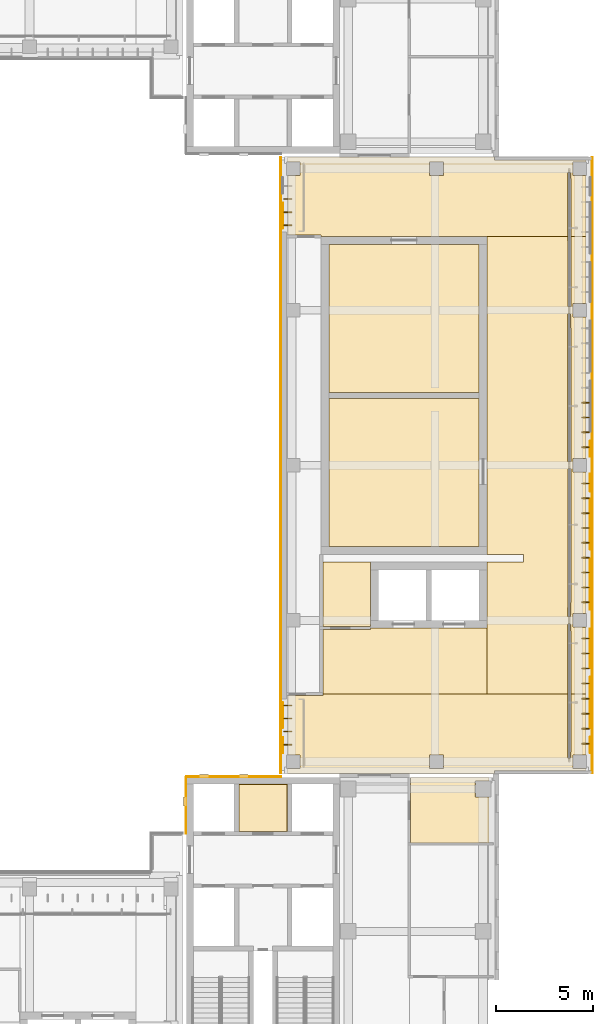
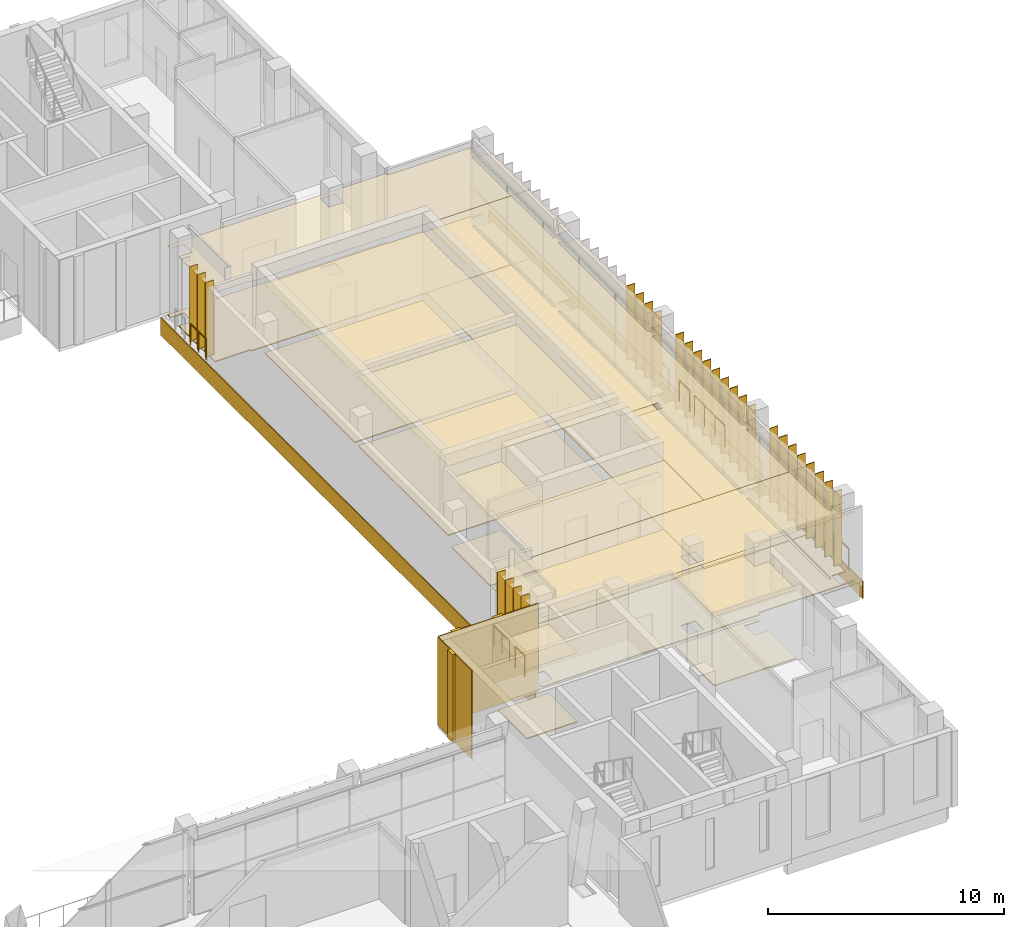
# One storey, part 70 of 73: 28 shading devices, 25 coverings, 10 railings.
"""IFC4 building model written with IfcOpenShell, lengths in metres."""

from ifc_helpers import new_model, si_unit, direction, frame, frame_2d, origin, origin_2d, place, context, subcontext, project, spatial, polyline, rectangle, circle, outline, extrude, material, layer, layer_set, type_object, element, save


model = new_model("IFC4")

# Units and contexts
model_context = context("Model", 3, precision=1e-05, world=origin(), true_north=direction((0.0, 1.0)))
body_context = subcontext(model_context, "Body", "Model", "MODEL_VIEW")
ifc_project = project(units=[si_unit("LENGTHUNIT", "METRE"), si_unit("AREAUNIT", "SQUARE_METRE"), si_unit("VOLUMEUNIT", "CUBIC_METRE"), si_unit("PLANEANGLEUNIT", "RADIAN"), si_unit("MASSUNIT", "GRAM", prefix="KILO")], contexts=[model_context])

# Site, building, storey
site_placement = place(None, origin())
site = spatial("IfcSite", under=ifc_project, at=site_placement, CompositionType="ELEMENT")
building_placement = place(site_placement, origin())
building = spatial("IfcBuilding", under=site, at=building_placement, Name="Lantern Court Media Centre", CompositionType="ELEMENT")
storey_placement = place(building_placement, frame((0.0, 0.0, 24.0)))
storey = spatial("IfcBuildingStorey", under=building, at=storey_placement, Name="L05", CompositionType="ELEMENT", Elevation=24.0)

# Coverings
ifc_material_1 = material(Name="Carpet")
ifc_layer_1 = layer(ifc_material_1, 0.050048828125)
ifc_layer_set_1 = layer_set([ifc_layer_1], Name="Carpet")
covering_type_1 = type_object("IfcCoveringType", Name="Carpet floor finish", PredefinedType="FLOORING", material=ifc_layer_set_1)
covering_1_placement = place(storey_placement, origin())
element("IfcCovering", 1, at=covering_1_placement, inside=storey, type_object=covering_type_1, Name="Master Control Room floor finish", PredefinedType="FLOORING", context=body_context, shape_type="SweptSolid", body=[
    extrude(outline(polyline([(95.195068359375, 83.445068359375), (95.195068359375, 75.804931640625), (87.455078125, 75.804931640625), (87.455078125, 83.445068359375), (95.195068359375, 83.445068359375)])), origin(), (0.0, 0.0, 1.0), 0.050048828125),
])
covering_2_placement = place(storey_placement, origin())
element("IfcCovering", 2, at=covering_2_placement, inside=storey, type_object=covering_type_1, Name="Technical Operations Room floor finish", PredefinedType="FLOORING", context=body_context, shape_type="SweptSolid", body=[
    extrude(outline(polyline([(95.195068359375, 83.7548828125), (87.455078125, 83.7548828125), (87.455078125, 91.39501953125), (95.195068359375, 91.39501953125), (95.195068359375, 83.7548828125)])), origin(), (0.0, 0.0, 1.0), 0.050048828125),
])
covering_3_placement = place(storey_placement, origin())
element("IfcCovering", 3, at=covering_3_placement, inside=storey, type_object=covering_type_1, Name="Library Administration Office floor finish", PredefinedType="FLOORING", context=body_context, shape_type="SweptSolid", body=[
    extrude(outline(polyline([(95.699951171875, 60.52587890625), (91.66748046875, 60.52587890625), (91.66748046875, 63.89990234375), (95.699951171875, 63.89990234375), (95.699951171875, 63.705078125), (94.9951171875, 63.699951171875), (94.99609375, 62.896728515625), (95.699951171875, 62.89501953125), (95.699951171875, 60.52587890625)])), origin(), (0.0, 0.0, 1.0), 0.050048828125),
])
ifc_material_2 = material(Name="Ceramic tile")
ifc_layer_2 = layer(ifc_material_2, 0.050048828125)
ifc_layer_set_2 = layer_set([ifc_layer_2], Name="Ceramic tile")
covering_type_2 = type_object("IfcCoveringType", Name="Ceramic tile floor finish", PredefinedType="FLOORING", material=ifc_layer_set_2)
covering_4_placement = place(storey_placement, origin())
element("IfcCovering", 4, at=covering_4_placement, inside=storey, type_object=covering_type_2, Name="Accessible WC floor finish", PredefinedType="FLOORING", context=body_context, shape_type="SweptSolid", body=[
    extrude(outline(polyline([(89.594970703125, 75.0), (89.594970703125, 71.679931640625), (87.135009765625, 71.679931640625), (87.135009765625, 75.0), (89.594970703125, 75.0)])), origin(), (0.0, 0.0, 1.0), 0.050048828125),
])
covering_5_placement = place(storey_placement, origin())
element("IfcCovering", 5, at=covering_5_placement, inside=storey, type_object=covering_type_2, Name="Accessible WC floor finish", PredefinedType="FLOORING", context=body_context, shape_type="SweptSolid", body=[
    extrude(outline(polyline([(85.294921875, 61.10498046875), (82.804931640625, 61.10498046875), (82.804931640625, 63.544921875), (85.294921875, 63.544921875), (85.294921875, 61.10498046875)])), origin(), (0.0, 0.0, 1.0), 0.050048828125),
])

# Railings
ifc_material_3 = material(Name="Powder-coated steel", Category="steel")
railing_type = type_object("IfcRailingType", Name="Floor edge guard 1100", PredefinedType="GUARDRAIL", material=ifc_material_3)
railing_1_placement = place(storey_placement, frame((85.06005859375, 65.158935546875, 0.0)))
element("IfcRailing", 6, at=railing_1_placement, inside=storey, type_object=railing_type, Name="L05 edge guard 191", PredefinedType="GUARDRAIL", context=body_context, shape_type="SweptSolid", body=[
    extrude(circle(Radius=0.02392578125, at=origin_2d()), frame((0.0, 0.0, 1.076171875), z_axis=(0.0, 1.0, 0.0), x_axis=(-1.0, 0.0, 0.0)), (0.0, 0.0, 1.0), 0.799072265625),
    extrude(circle(Radius=0.02099609375, at=origin_2d()), origin(), (0.0, 0.0, 1.0), 1.052001953125),
    extrude(circle(Radius=0.02099609375, at=origin_2d()), frame((0.0, 0.799072265625, 0.0)), (0.0, 0.0, 1.0), 1.052001953125),
])
railing_2_placement = place(storey_placement, frame((85.06005859375, 66.4580078125, 0.0)))
element("IfcRailing", 7, at=railing_2_placement, inside=storey, type_object=railing_type, Name="L05 edge guard 192", PredefinedType="GUARDRAIL", context=body_context, shape_type="SweptSolid", body=[
    extrude(circle(Radius=0.02392578125, at=origin_2d()), frame((0.0, 0.0, 1.076171875), z_axis=(0.0, 1.0, 0.0), x_axis=(-1.0, 0.0, 0.0)), (0.0, 0.0, 1.0), 1.299072265625),
    extrude(circle(Radius=0.02099609375, at=origin_2d()), origin(), (0.0, 0.0, 1.0), 1.052001953125),
    extrude(circle(Radius=0.02099609375, at=origin_2d()), frame((0.0, 0.6494140625, 0.0)), (0.0, 0.0, 1.0), 1.052001953125),
    extrude(circle(Radius=0.02099609375, at=origin_2d()), frame((0.0, 1.299072265625, 0.0)), (0.0, 0.0, 1.0), 1.052001953125),
])
railing_3_placement = place(storey_placement, frame((85.06005859375, 92.236083984375, 0.0)))
element("IfcRailing", 8, at=railing_3_placement, inside=storey, type_object=railing_type, Name="L05 edge guard 193", PredefinedType="GUARDRAIL", context=body_context, shape_type="SweptSolid", body=[
    extrude(circle(Radius=0.02392578125, at=origin_2d()), frame((0.0, 0.0, 1.076171875), z_axis=(0.0, 1.0, 0.0), x_axis=(-1.0, 0.0, 0.0)), (0.0, 0.0, 1.0), 1.298828125),
    extrude(circle(Radius=0.02099609375, at=origin_2d()), origin(), (0.0, 0.0, 1.0), 1.052001953125),
    extrude(circle(Radius=0.02099609375, at=origin_2d()), frame((0.0, 0.6494140625, 0.0)), (0.0, 0.0, 1.0), 1.052001953125),
    extrude(circle(Radius=0.02099609375, at=origin_2d()), frame((0.0, 1.298828125, 0.0)), (0.0, 0.0, 1.0), 1.052001953125),
])
railing_4_placement = place(storey_placement, frame((100.93994140625, 81.251953125, 0.0)))
element("IfcRailing", 9, at=railing_4_placement, inside=storey, type_object=railing_type, Name="L05 edge guard 200", PredefinedType="GUARDRAIL", context=body_context, shape_type="SweptSolid", body=[
    extrude(circle(Radius=0.02392578125, at=origin_2d()), frame((0.0, 0.0, 1.076171875), z_axis=(0.0, -1.0, 0.0), x_axis=(1.0, 0.0, 0.0)), (0.0, 0.0, 1.0), 0.799072265625),
    extrude(circle(Radius=0.02099609375, at=origin_2d()), origin(), (0.0, 0.0, 1.0), 1.052001953125),
    extrude(circle(Radius=0.02099609375, at=origin_2d()), frame((0.0, -0.799072265625, 0.0)), (0.0, 0.0, 1.0), 1.052001953125),
])
railing_5_placement = place(storey_placement, frame((100.93994140625, 79.553955078125, 0.0)))
element("IfcRailing", 10, at=railing_5_placement, inside=storey, type_object=railing_type, Name="L05 edge guard 201", PredefinedType="GUARDRAIL", context=body_context, shape_type="SweptSolid", body=[
    extrude(circle(Radius=0.02392578125, at=origin_2d()), frame((0.0, 0.0, 1.076171875), z_axis=(0.0, -1.0, 0.0), x_axis=(1.0, 0.0, 0.0)), (0.0, 0.0, 1.0), 0.89990234375),
    extrude(circle(Radius=0.02099609375, at=origin_2d()), origin(), (0.0, 0.0, 1.0), 1.052001953125),
    extrude(circle(Radius=0.02099609375, at=origin_2d()), frame((0.0, -0.89990234375, 0.0)), (0.0, 0.0, 1.0), 1.052001953125),
])
railing_6_placement = place(storey_placement, frame((100.93994140625, 78.2548828125, 0.0)))
element("IfcRailing", 11, at=railing_6_placement, inside=storey, type_object=railing_type, Name="L05 edge guard 202", PredefinedType="GUARDRAIL", context=body_context, shape_type="SweptSolid", body=[
    extrude(circle(Radius=0.02392578125, at=origin_2d()), frame((0.0, 0.0, 1.076171875), z_axis=(0.0, -1.0, 0.0), x_axis=(1.0, 0.0, 0.0)), (0.0, 0.0, 1.0), 2.597900390625),
    extrude(circle(Radius=0.02099609375, at=origin_2d()), origin(), (0.0, 0.0, 1.0), 1.052001953125),
    extrude(circle(Radius=0.02099609375, at=origin_2d()), frame((0.0, -0.865966796875, 0.0)), (0.0, 0.0, 1.0), 1.052001953125),
    extrude(circle(Radius=0.02099609375, at=origin_2d()), frame((0.0, -1.73193359375, 0.0)), (0.0, 0.0, 1.0), 1.052001953125),
    extrude(circle(Radius=0.02099609375, at=origin_2d()), frame((0.0, -2.597900390625, 0.0)), (0.0, 0.0, 1.0), 1.052001953125),
])
railing_7_placement = place(storey_placement, frame((100.93994140625, 75.156982421875, 0.0)))
element("IfcRailing", 12, at=railing_7_placement, inside=storey, type_object=railing_type, Name="L05 edge guard 203", PredefinedType="GUARDRAIL", context=body_context, shape_type="SweptSolid", body=[
    extrude(circle(Radius=0.02392578125, at=origin_2d()), frame((0.0, 0.0, 1.076171875), z_axis=(0.0, -1.0, 0.0), x_axis=(1.0, 0.0, 0.0)), (0.0, 0.0, 1.0), 2.596923828125),
    extrude(circle(Radius=0.02099609375, at=origin_2d()), origin(), (0.0, 0.0, 1.0), 1.052001953125),
    extrude(circle(Radius=0.02099609375, at=origin_2d()), frame((0.0, -0.86572265625, 0.0)), (0.0, 0.0, 1.0), 1.052001953125),
    extrude(circle(Radius=0.02099609375, at=origin_2d()), frame((0.0, -1.731201171875, 0.0)), (0.0, 0.0, 1.0), 1.052001953125),
    extrude(circle(Radius=0.02099609375, at=origin_2d()), frame((0.0, -2.596923828125, 0.0)), (0.0, 0.0, 1.0), 1.052001953125),
])
railing_8_placement = place(storey_placement, frame((100.93994140625, 71.56005859375, 0.0)))
element("IfcRailing", 13, at=railing_8_placement, inside=storey, type_object=railing_type, Name="L05 edge guard 204", PredefinedType="GUARDRAIL", context=body_context, shape_type="SweptSolid", body=[
    extrude(circle(Radius=0.02392578125, at=origin_2d()), frame((0.0, 0.0, 1.076171875), z_axis=(0.0, -1.0, 0.0), x_axis=(1.0, 0.0, 0.0)), (0.0, 0.0, 1.0), 1.998046875),
    extrude(circle(Radius=0.02099609375, at=origin_2d()), origin(), (0.0, 0.0, 1.0), 1.052001953125),
    extrude(circle(Radius=0.02099609375, at=origin_2d()), frame((0.0, -0.9990234375, 0.0)), (0.0, 0.0, 1.0), 1.052001953125),
    extrude(circle(Radius=0.02099609375, at=origin_2d()), frame((0.0, -1.998046875, 0.0)), (0.0, 0.0, 1.0), 1.052001953125),
])
railing_9_placement = place(storey_placement, frame((100.93994140625, 69.06298828125, 0.0)))
element("IfcRailing", 14, at=railing_9_placement, inside=storey, type_object=railing_type, Name="L05 edge guard 205", PredefinedType="GUARDRAIL", context=body_context, shape_type="SweptSolid", body=[
    extrude(circle(Radius=0.02392578125, at=origin_2d()), frame((0.0, 0.0, 1.076171875), z_axis=(0.0, -1.0, 0.0), x_axis=(1.0, 0.0, 0.0)), (0.0, 0.0, 1.0), 2.597900390625),
    extrude(circle(Radius=0.02099609375, at=origin_2d()), origin(), (0.0, 0.0, 1.0), 1.052001953125),
    extrude(circle(Radius=0.02099609375, at=origin_2d()), frame((0.0, -0.865966796875, 0.0)), (0.0, 0.0, 1.0), 1.052001953125),
    extrude(circle(Radius=0.02099609375, at=origin_2d()), frame((0.0, -1.73193359375, 0.0)), (0.0, 0.0, 1.0), 1.052001953125),
    extrude(circle(Radius=0.02099609375, at=origin_2d()), frame((0.0, -2.597900390625, 0.0)), (0.0, 0.0, 1.0), 1.052001953125),
])
railing_10_placement = place(storey_placement, frame((100.93994140625, 65.965087890625, 0.0)))
element("IfcRailing", 15, at=railing_10_placement, inside=storey, type_object=railing_type, Name="L05 edge guard 206", PredefinedType="GUARDRAIL", context=body_context, shape_type="SweptSolid", body=[
    extrude(circle(Radius=0.02392578125, at=origin_2d()), frame((0.0, 0.0, 1.076171875), z_axis=(0.0, -1.0, 0.0), x_axis=(1.0, 0.0, 0.0)), (0.0, 0.0, 1.0), 0.799072265625),
    extrude(circle(Radius=0.02099609375, at=origin_2d()), origin(), (0.0, 0.0, 1.0), 1.052001953125),
    extrude(circle(Radius=0.02099609375, at=origin_2d()), frame((0.0, -0.799072265625, 0.0)), (0.0, 0.0, 1.0), 1.052001953125),
])

# Coverings
ifc_material_4 = material(Name="White glass-fibre reinforced cement cladding", Category="concrete")
ifc_layer_3 = layer(ifc_material_4, 0.050048828125)
ifc_layer_set_3 = layer_set([ifc_layer_3], Name="White glass-fibre reinforced cement cladding")
covering_type_3 = type_object("IfcCoveringType", Name="Floor-edge band 50", PredefinedType="CLADDING", material=ifc_layer_set_3)
for number, where, z_axis, x_axis, name in (
    (16, (101.02490234375, 64.10009765625, -0.89990234375), (0.0, 0.0, 1.0), (0.0, 1.0, 0.0), "Floor-edge band E outer L05"),
    (17, (84.97509765625, 64.10009765625, -0.89990234375), (0.0, 0.0, 1.0), (0.0, 1.0, 0.0), "Floor-edge band E inner L05"),
):
    element("IfcCovering", number, at=place(storey_placement, frame(where, z_axis=z_axis, x_axis=x_axis)), inside=storey, type_object=covering_type_3, Name=name, PredefinedType="CLADDING", context=body_context, shape_type="SweptSolid", body=[
        extrude(rectangle(XDim=31.7998046875, YDim=0.050048828125, at=frame_2d((15.89990234375, 0.0))), origin(), (0.0, 0.0, 1.0), 0.89990234375),
    ])
ifc_material_5 = material(Name="Honed limestone cladding", Category="masonry")
ifc_layer_4 = layer(ifc_material_5, 0.050048828125)
ifc_layer_set_4 = layer_set([ifc_layer_4], Name="Honed limestone cladding")
covering_type_4 = type_object("IfcCoveringType", Name="Limestone cladding panel 50", PredefinedType="CLADDING", material=ifc_layer_set_4)
covering_6_placement = place(storey_placement, frame((80.074951171875, 61.0, 0.0), z_axis=(0.0, 0.0, 1.0), x_axis=(0.0, 1.0, 0.0)))
element("IfcCovering", 18, at=covering_6_placement, inside=storey, type_object=covering_type_4, Name="Limestone joint cladding S-SE L05", PredefinedType="CLADDING", context=body_context, shape_type="SweptSolid", body=[
    extrude(rectangle(XDim=2.89990234375, YDim=0.050048828125, at=frame_2d((1.449951171875, 0.0))), origin(), (0.0, 0.0, 1.0), 4.580078125),
])
covering_7_placement = place(storey_placement, frame((80.10009765625, 63.925048828125, 0.0), z_axis=(0.0, 0.0, 1.0), x_axis=(1.0, 0.0, 0.0)))
element("IfcCovering", 19, at=covering_7_placement, inside=storey, type_object=covering_type_4, Name="Limestone joint cladding E-SE L05", PredefinedType="CLADDING", context=body_context, shape_type="SweptSolid", body=[
    extrude(rectangle(XDim=4.89990234375, YDim=0.050048828125, at=frame_2d((2.449951171875, 0.0))), origin(), (0.0, 0.0, 1.0), 4.580078125),
])
ifc_layer_5 = layer(ifc_material_5, 0.14990234375)
ifc_layer_set_5 = layer_set([ifc_layer_5], Name="Honed limestone cladding")
covering_type_5 = type_object("IfcCoveringType", Name="Limestone pilaster cladding 150", PredefinedType="CLADDING", material=ifc_layer_set_5)
covering_8_placement = place(storey_placement, frame((80.77490234375, 63.97509765625, 0.0), z_axis=(0.0, 0.0, 1.0), x_axis=(1.0, 0.0, 0.0)))
element("IfcCovering", 20, at=covering_8_placement, inside=storey, type_object=covering_type_5, Name="Limestone pilaster rib", PredefinedType="CLADDING", context=body_context, shape_type="SweptSolid", body=[
    extrude(rectangle(XDim=0.4501953125, YDim=0.14990234375, at=frame_2d((0.22509765625, 0.0))), origin(), (0.0, 0.0, 1.0), 4.580078125),
])
for number, where, z_axis, x_axis, name in (
    (21, (82.824951171875, 63.97509765625, 0.0), (0.0, 0.0, 1.0), (1.0, 0.0, 0.0), "Limestone pilaster rib"),
    (22, (80.02490234375, 62.425048828125, 0.0), (0.0, 0.0, 1.0), (0.0, 1.0, 0.0), "Limestone pilaster rib"),
):
    element("IfcCovering", number, at=place(storey_placement, frame(where, z_axis=z_axis, x_axis=x_axis)), inside=storey, type_object=covering_type_5, Name=name, PredefinedType="CLADDING", context=body_context, shape_type="SweptSolid", body=[
        extrude(rectangle(XDim=0.449951171875, YDim=0.14990234375, at=frame_2d((0.22509765625, 0.0))), origin(), (0.0, 0.0, 1.0), 4.580078125),
    ])
ifc_material_6 = material(Name="Mineral fibre ceiling tile")
ifc_layer_6 = layer(ifc_material_6, 0.02001953125)
ifc_layer_set_6 = layer_set([ifc_layer_6], Name="Mineral fibre ceiling tile")
covering_type_6 = type_object("IfcCoveringType", Name="Suspended ceiling tile", PredefinedType="CEILING", material=ifc_layer_set_6)
covering_9_placement = place(storey_placement, frame((0.0, 0.0, 3.60009765625)))
element("IfcCovering", 23, at=covering_9_placement, inside=storey, type_object=covering_type_6, Name="End Lobby ceiling", PredefinedType="CEILING", context=body_context, shape_type="SweptSolid", body=[
    extrude(outline(polyline([(100.699951171875, 64.240478515625), (96.0, 64.240478515625), (95.99951171875, 64.10009765625), (85.300048828125, 64.10009765625), (85.300048828125, 64.349609375), (85.950439453125, 64.35009765625), (85.950439453125, 65.05029296875), (85.300048828125, 65.050537109375), (85.300048828125, 68.119384765625), (87.1298828125, 68.119384765625), (87.130615234375, 68.199951171875), (99.7744140625, 68.199951171875), (99.7744140625, 64.89990234375), (99.925048828125, 64.8994140625), (99.925537109375, 68.199951171875), (100.699951171875, 68.199951171875), (100.699951171875, 65.050537109375), (100.049560546875, 65.050048828125), (100.049560546875, 64.349609375), (100.699951171875, 64.349609375), (100.699951171875, 64.240478515625)]), holes=[polyline([(93.3505859375, 65.050048828125), (92.649658203125, 65.05029296875), (92.649658203125, 64.349609375), (93.350341796875, 64.349609375), (93.3505859375, 65.050048828125)])]), origin(), (0.0, 0.0, 1.0), 0.02001953125),
])
covering_10_placement = place(storey_placement, frame((0.0, 0.0, 3.60009765625)))
element("IfcCovering", 24, at=covering_10_placement, inside=storey, type_object=covering_type_6, Name="End Lobby ceiling", PredefinedType="CEILING", context=body_context, shape_type="SweptSolid", body=[
    extrude(outline(polyline([(100.699951171875, 91.800048828125), (99.925537109375, 91.800048828125), (99.925048828125, 95.1005859375), (99.7744140625, 95.10009765625), (99.7744140625, 91.800048828125), (87.04541015625, 91.800048828125), (87.044921875, 91.880615234375), (85.300048828125, 91.880615234375), (85.300048828125, 94.949462890625), (85.950439453125, 94.949951171875), (85.950439453125, 95.650390625), (85.300048828125, 95.650390625), (85.300048828125, 95.89990234375), (95.99951171875, 95.89990234375), (96.0, 95.759521484375), (100.699951171875, 95.759521484375), (100.699951171875, 95.650390625), (100.049560546875, 95.64990234375), (100.049560546875, 94.94970703125), (100.699951171875, 94.949462890625), (100.699951171875, 91.800048828125)]), holes=[polyline([(93.3505859375, 95.64990234375), (92.649658203125, 95.650390625), (92.649658203125, 94.94970703125), (93.350341796875, 94.94970703125), (93.3505859375, 95.64990234375)])]), origin(), (0.0, 0.0, 1.0), 0.02001953125),
])
covering_11_placement = place(storey_placement, frame((0.0, 0.0, 3.60009765625)))
element("IfcCovering", 25, at=covering_11_placement, inside=storey, type_object=covering_type_6, Name="Lift Lobby ceiling", PredefinedType="CEILING", context=body_context, shape_type="SweptSolid", body=[
    extrude(outline(polyline([(95.60009765625, 68.199951171875), (87.130615234375, 68.199951171875), (87.130615234375, 71.5244140625), (89.594970703125, 71.5244140625), (89.595458984375, 71.60009765625), (95.60009765625, 71.599609375), (95.60009765625, 68.199951171875)])), origin(), (0.0, 0.0, 1.0), 0.02001953125),
])
covering_12_placement = place(storey_placement, frame((0.0, 0.0, 3.60009765625)))
element("IfcCovering", 26, at=covering_12_placement, inside=storey, type_object=covering_type_6, Name="Accessible WC ceiling", PredefinedType="CEILING", context=body_context, shape_type="SweptSolid", body=[
    extrude(outline(polyline([(89.599609375, 75.0), (89.599609375, 71.60009765625), (89.594970703125, 71.675537109375), (87.130615234375, 71.675537109375), (87.130615234375, 75.0), (89.599609375, 75.0)])), origin(), (0.0, 0.0, 1.0), 0.02001953125),
])
covering_13_placement = place(storey_placement, frame((0.0, 0.0, 3.60009765625)))
element("IfcCovering", 27, at=covering_13_placement, inside=storey, type_object=covering_type_6, Name="Master Control Room ceiling", PredefinedType="CEILING", context=body_context, shape_type="SweptSolid", body=[
    extrude(outline(polyline([(95.199462890625, 83.60009765625), (95.199462890625, 75.800537109375), (87.450439453125, 75.800537109375), (87.450439453125, 83.60009765625), (87.455078125, 83.449462890625), (95.195068359375, 83.449462890625), (95.199462890625, 83.60009765625)])), origin(), (0.0, 0.0, 1.0), 0.02001953125),
])
covering_14_placement = place(storey_placement, frame((0.0, 0.0, 3.60009765625)))
element("IfcCovering", 28, at=covering_14_placement, inside=storey, type_object=covering_type_6, Name="Technical Operations Room ceiling", PredefinedType="CEILING", context=body_context, shape_type="SweptSolid", body=[
    extrude(outline(polyline([(87.450439453125, 83.60009765625), (87.450439453125, 91.3994140625), (95.199462890625, 91.3994140625), (95.199462890625, 83.60009765625), (95.195068359375, 83.75048828125), (87.455078125, 83.75048828125), (87.450439453125, 83.60009765625)])), origin(), (0.0, 0.0, 1.0), 0.02001953125),
])
covering_15_placement = place(storey_placement, frame((0.0, 0.0, 3.60009765625)))
element("IfcCovering", 29, at=covering_15_placement, inside=storey, type_object=covering_type_6, Name="Corridor ceiling", PredefinedType="CEILING", context=body_context, shape_type="SweptSolid", body=[
    extrude(outline(polyline([(100.699951171875, 91.800048828125), (100.699951171875, 88.3505859375), (100.049560546875, 88.35009765625), (100.049560546875, 87.649658203125), (100.699951171875, 87.6494140625), (100.699951171875, 80.3505859375), (100.049560546875, 80.35009765625), (100.049560546875, 79.649658203125), (100.699951171875, 79.6494140625), (100.699951171875, 72.3505859375), (100.049560546875, 72.35009765625), (100.049560546875, 71.649658203125), (100.699951171875, 71.6494140625), (100.699951171875, 68.199951171875), (99.925537109375, 68.199951171875), (99.925048828125, 71.800537109375), (99.7744140625, 71.800048828125), (99.7744140625, 68.199951171875), (95.60009765625, 68.199951171875), (95.6005859375, 75.0), (97.5, 75.0), (97.5, 75.39990234375), (95.6005859375, 75.39990234375), (95.6005859375, 91.800048828125), (99.7744140625, 91.800048828125), (99.77490234375, 88.199462890625), (99.925537109375, 88.199951171875), (99.925537109375, 91.800048828125), (100.699951171875, 91.800048828125)]), holes=[polyline([(99.7744140625, 80.199951171875), (99.925537109375, 80.199951171875), (99.925048828125, 87.800537109375), (99.7744140625, 87.800048828125), (99.7744140625, 80.199951171875)]), polyline([(99.925048828125, 72.199462890625), (99.925537109375, 79.800048828125), (99.77490234375, 79.800537109375), (99.7744140625, 72.199951171875), (99.925048828125, 72.199462890625)])]), origin(), (0.0, 0.0, 1.0), 0.02001953125),
])
covering_16_placement = place(storey_placement, frame((0.0, 0.0, 3.60009765625)))
element("IfcCovering", 30, at=covering_16_placement, inside=storey, type_object=covering_type_6, Name="Accessible WC ceiling", PredefinedType="CEILING", context=body_context, shape_type="SweptSolid", body=[
    extrude(outline(polyline([(85.299560546875, 61.1005859375), (82.800537109375, 61.1005859375), (82.800537109375, 63.549560546875), (85.299560546875, 63.549560546875), (85.299560546875, 61.1005859375)])), origin(), (0.0, 0.0, 1.0), 0.02001953125),
])
covering_17_placement = place(storey_placement, frame((0.0, 0.0, 3.60009765625)))
element("IfcCovering", 31, at=covering_17_placement, inside=storey, type_object=covering_type_6, Name="Library Administration Office ceiling", PredefinedType="CEILING", context=body_context, shape_type="SweptSolid", body=[
    extrude(outline(polyline([(95.699951171875, 60.521484375), (91.6630859375, 60.521484375), (91.6630859375, 63.89990234375), (95.699951171875, 63.89990234375), (95.699951171875, 63.700439453125), (94.99951171875, 63.699951171875), (94.99951171875, 62.899658203125), (95.699951171875, 62.8994140625), (95.699951171875, 60.521484375)])), origin(), (0.0, 0.0, 1.0), 0.02001953125),
])
ifc_material_7 = material(Name="Terrazzo")
ifc_layer_7 = layer(ifc_material_7, 0.050048828125)
ifc_layer_set_7 = layer_set([ifc_layer_7], Name="Terrazzo")
covering_type_7 = type_object("IfcCoveringType", Name="Terrazzo floor finish", PredefinedType="FLOORING", material=ifc_layer_set_7)
covering_18_placement = place(storey_placement, origin())
element("IfcCovering", 32, at=covering_18_placement, inside=storey, type_object=covering_type_7, Name="End Lobby floor finish", PredefinedType="FLOORING", context=body_context, shape_type="SweptSolid", body=[
    extrude(outline(polyline([(100.699951171875, 64.2451171875), (96.0, 64.2451171875), (95.9951171875, 64.10009765625), (85.300048828125, 64.10009765625), (85.300048828125, 64.344970703125), (85.955078125, 64.35009765625), (85.95361328125, 65.053466796875), (85.300048828125, 65.054931640625), (85.300048828125, 68.114990234375), (87.1298828125, 68.114990234375), (87.135009765625, 68.199951171875), (99.77001953125, 68.199951171875), (99.77001953125, 64.89990234375), (99.925048828125, 64.89501953125), (99.929931640625, 68.199951171875), (100.699951171875, 68.199951171875), (100.699951171875, 65.054931640625), (100.044921875, 65.050048828125), (100.046142578125, 64.346923828125), (100.699951171875, 64.344970703125), (100.699951171875, 64.2451171875)]), holes=[polyline([(93.35009765625, 64.344970703125), (93.353515625, 65.053466796875), (92.646484375, 65.053466796875), (92.646484375, 64.346435546875), (93.35009765625, 64.344970703125)])]), origin(), (0.0, 0.0, 1.0), 0.050048828125),
])
covering_19_placement = place(storey_placement, origin())
element("IfcCovering", 33, at=covering_19_placement, inside=storey, type_object=covering_type_7, Name="End Lobby floor finish", PredefinedType="FLOORING", context=body_context, shape_type="SweptSolid", body=[
    extrude(outline(polyline([(100.699951171875, 91.800048828125), (99.929931640625, 91.800048828125), (99.925048828125, 95.10498046875), (99.77001953125, 95.10009765625), (99.77001953125, 91.800048828125), (87.050048828125, 91.804931640625), (87.044921875, 91.885009765625), (85.300048828125, 91.885009765625), (85.300048828125, 94.945068359375), (85.955078125, 94.949951171875), (85.9541015625, 95.65283203125), (85.300048828125, 95.655029296875), (85.300048828125, 95.89990234375), (95.9951171875, 95.89990234375), (96.0, 95.7548828125), (100.699951171875, 95.7548828125), (100.699951171875, 95.655029296875), (100.044921875, 95.64990234375), (100.04638671875, 94.946533203125), (100.699951171875, 94.945068359375), (100.699951171875, 91.800048828125)]), holes=[polyline([(93.35009765625, 94.945068359375), (93.353515625, 95.653564453125), (92.646484375, 95.653564453125), (92.646484375, 94.946533203125), (93.35009765625, 94.945068359375)])]), origin(), (0.0, 0.0, 1.0), 0.050048828125),
])
covering_20_placement = place(storey_placement, origin())
element("IfcCovering", 34, at=covering_20_placement, inside=storey, type_object=covering_type_7, Name="Lift Lobby floor finish", PredefinedType="FLOORING", context=body_context, shape_type="SweptSolid", body=[
    extrude(outline(polyline([(95.60009765625, 68.199951171875), (87.135009765625, 68.199951171875), (87.135009765625, 71.52001953125), (89.594970703125, 71.52001953125), (89.60009765625, 71.594970703125), (95.60009765625, 71.594970703125), (95.60009765625, 68.199951171875)])), origin(), (0.0, 0.0, 1.0), 0.050048828125),
])
covering_21_placement = place(storey_placement, origin())
element("IfcCovering", 35, at=covering_21_placement, inside=storey, type_object=covering_type_7, Name="Corridor floor finish", PredefinedType="FLOORING", context=body_context, shape_type="SweptSolid", body=[
    extrude(outline(polyline([(100.699951171875, 91.800048828125), (100.699951171875, 88.35498046875), (100.044921875, 88.35009765625), (100.04638671875, 87.646484375), (100.699951171875, 87.64501953125), (100.699951171875, 80.35498046875), (100.044921875, 80.35009765625), (100.04638671875, 79.646484375), (100.699951171875, 79.64501953125), (100.699951171875, 72.35498046875), (100.044921875, 72.35009765625), (100.04638671875, 71.646484375), (100.699951171875, 71.64501953125), (100.699951171875, 68.199951171875), (99.929931640625, 68.199951171875), (99.925048828125, 71.804931640625), (99.77001953125, 71.800048828125), (99.77001953125, 68.199951171875), (95.60009765625, 68.199951171875), (95.60498046875, 75.0), (97.5, 75.0), (97.5, 75.39990234375), (95.60498046875, 75.39990234375), (95.60498046875, 91.800048828125), (99.77001953125, 91.800048828125), (99.77490234375, 88.195068359375), (99.929931640625, 88.199951171875), (99.929931640625, 91.800048828125), (100.699951171875, 91.800048828125)]), holes=[polyline([(99.925048828125, 72.195068359375), (99.929931640625, 79.800048828125), (99.77490234375, 79.804931640625), (99.77001953125, 72.199951171875), (99.925048828125, 72.195068359375)]), polyline([(99.77001953125, 80.199951171875), (99.929931640625, 80.199951171875), (99.925048828125, 87.804931640625), (99.77001953125, 87.800048828125), (99.77001953125, 80.199951171875)])]), origin(), (0.0, 0.0, 1.0), 0.050048828125),
])

# Shading devices
ifc_material_8 = material(Name="Bronze anodised aluminium louvre", Category="aluminium")
ifc_layer_8 = layer(ifc_material_8, 0.0400390625)
ifc_layer_set_8 = layer_set([ifc_layer_8], Name="Bronze anodised aluminium louvre")
shading_device_type = type_object("IfcShadingDeviceType", Name="Vertical louvre 40x400 under beam", PredefinedType="USERDEFINED", material=ifc_layer_set_8)
for number, where, z_axis, x_axis, name in (
    (36, (100.679931640625, 65.637451171875, 0.0), (0.0, 0.0, 1.0), (1.0, 0.0, 0.0), "Vertical louvre E outer L05"),
    (37, (100.679931640625, 66.41259765625, 0.0), (0.0, 0.0, 1.0), (1.0, 0.0, 0.0), "Vertical louvre E outer L05"),
    (38, (100.679931640625, 67.1875, 0.0), (0.0, 0.0, 1.0), (1.0, 0.0, 0.0), "Vertical louvre E outer L05"),
    (39, (100.679931640625, 67.96240234375, 0.0), (0.0, 0.0, 1.0), (1.0, 0.0, 0.0), "Vertical louvre E outer L05"),
    (40, (100.679931640625, 68.737548828125, 0.0), (0.0, 0.0, 1.0), (1.0, 0.0, 0.0), "Vertical louvre E outer L05"),
    (41, (100.679931640625, 69.512451171875, 0.0), (0.0, 0.0, 1.0), (1.0, 0.0, 0.0), "Vertical louvre E outer L05"),
    (42, (100.679931640625, 70.28759765625, 0.0), (0.0, 0.0, 1.0), (1.0, 0.0, 0.0), "Vertical louvre E outer L05"),
    (43, (100.679931640625, 71.0625, 0.0), (0.0, 0.0, 1.0), (1.0, 0.0, 0.0), "Vertical louvre E outer L05"),
    (44, (100.679931640625, 72.933349609375, 0.0), (0.0, 0.0, 1.0), (1.0, 0.0, 0.0), "Vertical louvre E outer L05"),
    (45, (100.679931640625, 73.699951171875, 0.0), (0.0, 0.0, 1.0), (1.0, 0.0, 0.0), "Vertical louvre E outer L05"),
    (46, (100.679931640625, 74.466552734375, 0.0), (0.0, 0.0, 1.0), (1.0, 0.0, 0.0), "Vertical louvre E outer L05"),
    (47, (100.679931640625, 75.2333984375, 0.0), (0.0, 0.0, 1.0), (1.0, 0.0, 0.0), "Vertical louvre E outer L05"),
    (48, (100.679931640625, 76.0, 0.0), (0.0, 0.0, 1.0), (1.0, 0.0, 0.0), "Vertical louvre E outer L05"),
    (49, (100.679931640625, 76.7666015625, 0.0), (0.0, 0.0, 1.0), (1.0, 0.0, 0.0), "Vertical louvre E outer L05"),
    (50, (100.679931640625, 77.533447265625, 0.0), (0.0, 0.0, 1.0), (1.0, 0.0, 0.0), "Vertical louvre E outer L05"),
    (51, (100.679931640625, 78.300048828125, 0.0), (0.0, 0.0, 1.0), (1.0, 0.0, 0.0), "Vertical louvre E outer L05"),
    (52, (100.679931640625, 79.066650390625, 0.0), (0.0, 0.0, 1.0), (1.0, 0.0, 0.0), "Vertical louvre E outer L05"),
    (53, (100.679931640625, 80.933349609375, 0.0), (0.0, 0.0, 1.0), (1.0, 0.0, 0.0), "Vertical louvre E outer L05"),
    (54, (100.679931640625, 81.699951171875, 0.0), (0.0, 0.0, 1.0), (1.0, 0.0, 0.0), "Vertical louvre E outer L05"),
    (55, (100.679931640625, 82.466552734375, 0.0), (0.0, 0.0, 1.0), (1.0, 0.0, 0.0), "Vertical louvre E outer L05"),
    (56, (100.679931640625, 83.2333984375, 0.0), (0.0, 0.0, 1.0), (1.0, 0.0, 0.0), "Vertical louvre E outer L05"),
    (57, (85.320068359375, 65.58740234375, 0.0), (0.0, 0.0, 1.0), (1.0, 0.0, 0.0), "Vertical louvre E inner L05"),
    (58, (85.320068359375, 66.262451171875, 0.0), (0.0, 0.0, 1.0), (1.0, 0.0, 0.0), "Vertical louvre E inner L05"),
    (59, (85.320068359375, 66.9375, 0.0), (0.0, 0.0, 1.0), (1.0, 0.0, 0.0), "Vertical louvre E inner L05"),
    (60, (85.320068359375, 67.612548828125, 0.0), (0.0, 0.0, 1.0), (1.0, 0.0, 0.0), "Vertical louvre E inner L05"),
    (61, (85.320068359375, 92.387451171875, 0.0), (0.0, 0.0, 1.0), (1.0, 0.0, 0.0), "Vertical louvre E inner L05"),
    (62, (85.320068359375, 93.0625, 0.0), (0.0, 0.0, 1.0), (1.0, 0.0, 0.0), "Vertical louvre E inner L05"),
    (63, (85.320068359375, 93.737548828125, 0.0), (0.0, 0.0, 1.0), (1.0, 0.0, 0.0), "Vertical louvre E inner L05"),
):
    element("IfcShadingDevice", number, at=place(storey_placement, frame(where, z_axis=z_axis, x_axis=x_axis)), inside=storey, type_object=shading_device_type, Name=name, ObjectType="VERTICAL LOUVRE", PredefinedType="USERDEFINED", context=body_context, shape_type="SweptSolid", body=[
        extrude(rectangle(XDim=0.39990234375, YDim=0.0400390625, at=origin_2d()), origin(), (0.0, 0.0, 1.0), 3.89990234375),
    ])

save(model, "model.ifc")
